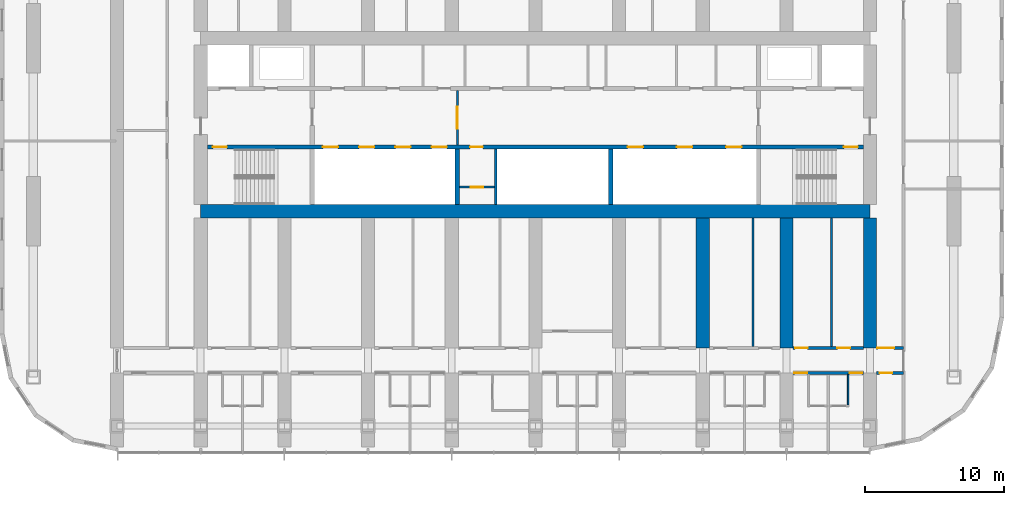
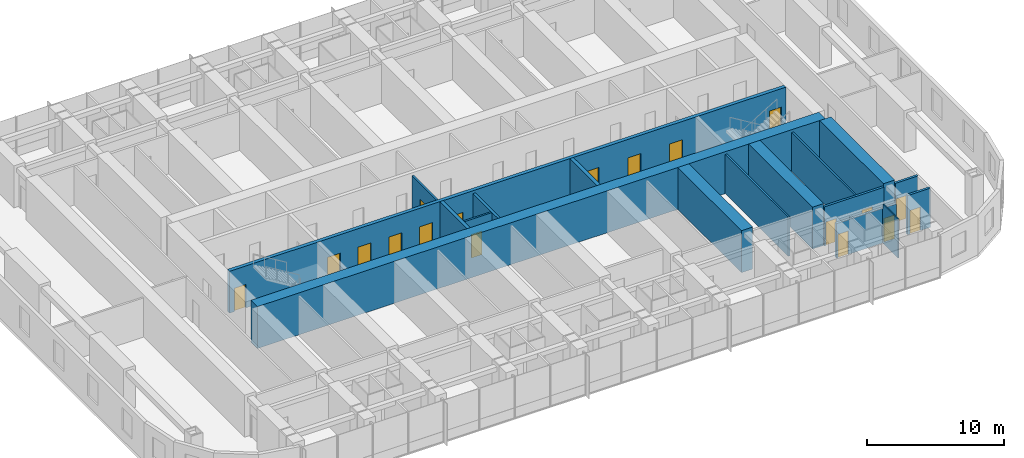
# One storey, part 11 of 21: 18 doors, 17 walls, 18 openings.
"""IFC4 building model written with IfcOpenShell, lengths in metres."""

import ifcopenshell
import ifcopenshell.guid

model = None  # the IFC model being written
_history = None  # IfcOwnerHistory: only IFC2X3 demands one
_inside = {}  # id of a spatial element -> (the spatial element, [elements in it])
_under = {}  # id of a project, library or spatial element -> (it, [spatial elements below it])
_declared = {}  # id of a project -> (the project, [libraries it declares])
_typed = {}  # id of a type object -> (the type object, [elements of that type])
_made_of = {}  # id of a material, layer set ... -> (it, [elements and type objects made of it])


def new_model(schema):
    """Start an empty IFC model of exactly this schema.

    Asked for "IFC4X3", IfcOpenShell would pick the latest addendum, in which some entities
    have other attributes; the version numbers below select the first issue.
    IFC2X3 requires an IfcOwnerHistory on every rooted entity: one is made here for all.
    """
    global model, _history
    if schema == "IFC4X3":
        model = ifcopenshell.file(schema_version=(4, 3, 0, 0))
    else:
        model = ifcopenshell.file(schema=schema)
    _inside.clear()
    _under.clear()
    _declared.clear()
    _typed.clear()
    _made_of.clear()
    _history = None
    if model.schema == "IFC2X3":
        org = make("IfcOrganization", Name="unknown")
        user = make(
            "IfcPersonAndOrganization",
            ThePerson=make("IfcPerson", FamilyName="unknown"),
            TheOrganization=org,
        )
        app = make(
            "IfcApplication",
            ApplicationDeveloper=org,
            Version="unknown",
            ApplicationFullName="unknown",
            ApplicationIdentifier="unknown",
        )
        _history = make(
            "IfcOwnerHistory",
            OwningUser=user,
            OwningApplication=app,
            ChangeAction="ADDED",
            CreationDate=0,
        )
    return model


def make(cls, **values):
    """One entity of the class cls with the attributes given. An attribute that is None is left unset."""
    return model.create_entity(
        cls, **{name: value for name, value in values.items() if value is not None}
    )


def rooted(cls, **values):
    """An entity with a GlobalId (a new one), such as an element, a storey or a relation."""
    return make(cls, GlobalId=ifcopenshell.guid.new(), OwnerHistory=_history, **values)


def si_unit(unit_type, name, prefix=None):
    """IfcSIUnit, for example si_unit("LENGTHUNIT", "METRE", prefix="MILLI")."""
    return make("IfcSIUnit", UnitType=unit_type, Prefix=prefix, Name=name)


def assignment(units):
    """IfcUnitAssignment: the units of a project."""
    return None if units is None else make("IfcUnitAssignment", Units=units)


def point(xyz):
    """IfcCartesianPoint."""
    return None if xyz is None else make("IfcCartesianPoint", Coordinates=xyz)


def direction(xyz):
    """IfcDirection."""
    return None if xyz is None else make("IfcDirection", DirectionRatios=xyz)


def frame(location, z_axis=None, x_axis=None):
    """IfcAxis2Placement3D, a coordinate frame: its origin and axes. An axis left out is left unset."""
    return make(
        "IfcAxis2Placement3D",
        Location=point(location),
        Axis=direction(z_axis),
        RefDirection=direction(x_axis),
    )


def frame_2d(location, x_axis=None):
    """IfcAxis2Placement2D, a coordinate frame in the plane: its origin and x axis."""
    return make(
        "IfcAxis2Placement2D", Location=point(location), RefDirection=direction(x_axis)
    )


def origin():
    """The frame at (0, 0, 0) with its axes left unset."""
    return frame((0.0, 0.0, 0.0))


def place(relative_to, where):
    """IfcLocalPlacement: puts the frame where relative to a parent placement (None: the world)."""
    return make(
        "IfcLocalPlacement", PlacementRelTo=relative_to, RelativePlacement=where
    )


def context(
    kind, dimensions, precision=None, world=None, true_north=None, identifier=None
):
    """IfcGeometricRepresentationContext, for example the 3D "Model" context."""
    return make(
        "IfcGeometricRepresentationContext",
        ContextIdentifier=identifier,
        ContextType=kind,
        CoordinateSpaceDimension=dimensions,
        Precision=precision,
        WorldCoordinateSystem=world,
        TrueNorth=true_north,
    )


def subcontext(parent, identifier, kind, view, scale=None):
    """IfcGeometricRepresentationSubContext, for example "Body" below "Model"."""
    return make(
        "IfcGeometricRepresentationSubContext",
        ContextIdentifier=identifier,
        ContextType=kind,
        ParentContext=parent,
        TargetScale=scale,
        TargetView=view,
    )


def project(units=None, contexts=None):
    """IfcProject with its units and contexts."""
    return rooted(
        "IfcProject",
        Name="project",
        RepresentationContexts=contexts,
        UnitsInContext=assignment(units),
    )


def spatial(cls, under=None, at=None, **own):
    """A site, building, storey or space (cls), placed at a placement, below another one or the project."""
    s = rooted(cls, ObjectPlacement=at, **own)
    if under is not None:
        _under.setdefault(under.id(), (under, []))[1].append(s)
    return s


def polyline(points):
    """IfcPolyline through the points."""
    return make("IfcPolyline", Points=[point(p) for p in points])


def profile(cls, at=None, kind="AREA", **sizes):
    """A parametric profile (cls). Its sizes go by their IFC names, for example OverallWidth=200.0."""
    return make(cls, ProfileType=kind, Position=at, **sizes)


def rectangle(**sizes):
    """IfcRectangleProfileDef."""
    return profile("IfcRectangleProfileDef", **sizes)


def outline(outer, holes=None, kind="AREA"):
    """IfcArbitraryClosedProfileDef: a profile drawn as a closed curve; with holes, ...WithVoids."""
    if holes is None:
        return make("IfcArbitraryClosedProfileDef", ProfileType=kind, OuterCurve=outer)
    return make(
        "IfcArbitraryProfileDefWithVoids",
        ProfileType=kind,
        OuterCurve=outer,
        InnerCurves=holes,
    )


def extrude(swept, where, along, depth):
    """IfcExtrudedAreaSolid: the profile swept, set in the frame where, extruded along a direction by depth."""
    return make(
        "IfcExtrudedAreaSolid",
        SweptArea=swept,
        Position=where,
        ExtrudedDirection=direction(along),
        Depth=depth,
    )


def shape(context_of_items, identifier, shape_type, items):
    """IfcShapeRepresentation: the items that make up one representation, for example the "Body"."""
    return make(
        "IfcShapeRepresentation",
        ContextOfItems=context_of_items,
        RepresentationIdentifier=identifier,
        RepresentationType=shape_type,
        Items=items,
    )


def material(Name=None, Category=None):
    """IfcMaterial."""
    return make("IfcMaterial", Name=Name, Category=Category)


def layer(
    of_material, thickness, ventilated=None, Name=None, Category=None, Priority=None
):
    """IfcMaterialLayer: one layer of a wall or slab, of a material (None: an air gap)."""
    return make(
        "IfcMaterialLayer",
        Material=of_material,
        LayerThickness=thickness,
        IsVentilated=ventilated,
        Name=Name,
        Category=Category,
        Priority=Priority,
    )


def layer_set(layers, Name=None):
    """IfcMaterialLayerSet."""
    return make("IfcMaterialLayerSet", MaterialLayers=layers, LayerSetName=Name)


def made_of(thing, what):
    """Note that an element or type object is made of a material, layer set ...; save() writes the relation."""
    if what is not None:
        _made_of.setdefault(what.id(), (what, []))[1].append(thing)
    return thing


def type_object(cls, material=None, **own):
    """A type object (cls), such as IfcWallType, which elements share."""
    return made_of(rooted(cls, **own), material)


def element(
    cls,
    number,
    at=None,
    inside=None,
    cuts=None,
    type_object=None,
    material=None,
    context=None,
    identifier="Body",
    shape_type=None,
    held_by="IfcProductDefinitionShape",
    body=None,
    shapes=None,
    **own,
):
    """One element of the class cls, such as IfcWall. Its Tag is "e" and its number.

    at: its placement. inside: the storey or other place that contains it. cuts: it is an
    opening in that element (IfcRelVoidsElement). A single representation is given by context,
    identifier, shape_type and body (its items); several are given by shapes. held_by: the class
    of the entity that holds the representations. save() writes the other relations.
    """
    e = rooted(cls, Tag="e%d" % number, ObjectPlacement=at, **own)
    if body is not None:
        shapes = [shape(context, identifier, shape_type, body)]
    if shapes is not None:
        e.Representation = make(held_by, Representations=shapes)
    if inside is not None:
        _inside.setdefault(inside.id(), (inside, []))[1].append(e)
    if cuts is not None:
        rooted(
            "IfcRelVoidsElement", RelatingBuildingElement=cuts, RelatedOpeningElement=e
        )
    if type_object is not None:
        _typed.setdefault(type_object.id(), (type_object, []))[1].append(e)
    return made_of(e, material)


def fill(opening, filler):
    """IfcRelFillsElement: the door or window that sits in an opening."""
    return rooted(
        "IfcRelFillsElement",
        RelatingOpeningElement=opening,
        RelatedBuildingElement=filler,
    )


def aggregate(whole, parts):
    """IfcRelAggregates: a whole, such as a stair, and the parts it consists of."""
    return rooted("IfcRelAggregates", RelatingObject=whole, RelatedObjects=parts)


def save(model, path):
    """Write the relations noted so far, then the file.

    IfcRelAggregates (storeys below a building ...), IfcRelContainedInSpatialStructure (elements
    in a storey), IfcRelDefinesByType, IfcRelAssociatesMaterial and IfcRelDeclares: one each for
    every whole, place, type object, material and project.
    """
    for whole, parts in _under.values():
        aggregate(whole, parts)
    for where, things in _inside.values():
        rooted(
            "IfcRelContainedInSpatialStructure",
            RelatedElements=things,
            RelatingStructure=where,
        )
    for kind, things in _typed.values():
        rooted("IfcRelDefinesByType", RelatedObjects=things, RelatingType=kind)
    for what, things in _made_of.values():
        rooted("IfcRelAssociatesMaterial", RelatedObjects=things, RelatingMaterial=what)
    for by, libraries in _declared.values():
        rooted("IfcRelDeclares", RelatingContext=by, RelatedDefinitions=libraries)
    model.write(path)


model = new_model("IFC4")

# Units and contexts
model_context = context("Model", 3, precision=1e-05, world=origin(), true_north=direction((0.0, 1.0)))
body_context = subcontext(model_context, "Body", "Model", "MODEL_VIEW")
ifc_project = project(units=[si_unit("LENGTHUNIT", "METRE"), si_unit("AREAUNIT", "SQUARE_METRE"), si_unit("VOLUMEUNIT", "CUBIC_METRE"), si_unit("PLANEANGLEUNIT", "RADIAN"), si_unit("MASSUNIT", "GRAM", prefix="KILO")], contexts=[model_context])

# Site, building, storey
site_placement = place(None, origin())
site = spatial("IfcSite", under=ifc_project, at=site_placement, CompositionType="ELEMENT")
building_placement = place(site_placement, origin())
building = spatial("IfcBuilding", under=site, at=building_placement, Name="Orbita Commons", CompositionType="ELEMENT")
storey_placement = place(building_placement, frame((0.0, 0.0, 91.89990234375)))
storey = spatial("IfcBuildingStorey", under=building, at=storey_placement, Name="L22", CompositionType="ELEMENT", Elevation=91.89990234375)

# Wall, openings, doors
ifc_material_1 = material(Name="Concrete C50/60", Category="concrete")
ifc_layer_1 = layer(ifc_material_1, 0.300048828125)
ifc_layer_set_1 = layer_set([ifc_layer_1], Name="Concrete C50/60")
wall_type_1 = type_object("IfcWallType", Name="Core inner wall 300 C50/60", PredefinedType="SHEAR", material=ifc_layer_set_1)
wall_1_placement = place(storey_placement, frame((18.47509765625, 30.39990234375, 0.0), z_axis=(0.0, 0.0, 1.0), x_axis=(1.0, 0.0, 0.0)))
wall_1 = element("IfcWall", 1, at=wall_1_placement, inside=storey, type_object=wall_type_1, Name="Lobby wall south L22", PredefinedType="SHEAR", context=body_context, shape_type="SweptSolid", body=[
    extrude(rectangle(XDim=47.0498046875, YDim=0.300048828125, at=frame_2d((23.52490234375, 0.0))), origin(), (0.0, 0.0, 1.0), 3.75),
])
opening_1_placement = place(wall_1_placement, frame((0.39990234375, 0.0, 0.0)))
opening_1 = element("IfcOpeningElement", 2, at=opening_1_placement, cuts=wall_1, Name="Opening D02", PredefinedType="OPENING", context=body_context, shape_type="SweptSolid", body=[
    extrude(rectangle(XDim=1.0, YDim=2.10009765625, at=frame_2d((0.5, 1.050048828125))), frame((0.0, 0.159912109375, 0.0), z_axis=(0.0, -1.0, 0.0), x_axis=(1.0, 0.0, 0.0)), (0.0, 0.0, 1.0), 0.320068359375),
])
opening_2_placement = place(wall_1_placement, frame((45.64990234375, 0.0, 0.0)))
opening_2 = element("IfcOpeningElement", 3, at=opening_2_placement, cuts=wall_1, Name="Opening D02", PredefinedType="OPENING", context=body_context, shape_type="SweptSolid", body=[
    extrude(rectangle(XDim=1.0, YDim=2.10009765625, at=frame_2d((0.5, 1.050048828125))), frame((0.0, 0.159912109375, 0.0), z_axis=(0.0, -1.0, 0.0), x_axis=(1.0, 0.0, 0.0)), (0.0, 0.0, 1.0), 0.320068359375),
])
opening_3_placement = place(wall_1_placement, frame((8.27490234375, 0.0, 0.0)))
opening_3 = element("IfcOpeningElement", 4, at=opening_3_placement, cuts=wall_1, Name="Opening LD02", PredefinedType="OPENING", context=body_context, shape_type="SweptSolid", body=[
    extrude(rectangle(XDim=1.10009765625, YDim=2.10009765625, at=frame_2d((0.550048828125, 1.050048828125))), frame((0.0, 0.159912109375, 0.0), z_axis=(0.0, -1.0, 0.0), x_axis=(1.0, 0.0, 0.0)), (0.0, 0.0, 1.0), 0.320068359375),
])
opening_4_placement = place(wall_1_placement, frame((10.875, 0.0, 0.0)))
opening_4 = element("IfcOpeningElement", 5, at=opening_4_placement, cuts=wall_1, Name="Opening LD02", PredefinedType="OPENING", context=body_context, shape_type="SweptSolid", body=[
    extrude(rectangle(XDim=1.10009765625, YDim=2.10009765625, at=frame_2d((0.550048828125, 1.050048828125))), frame((0.0, 0.159912109375, 0.0), z_axis=(0.0, -1.0, 0.0), x_axis=(1.0, 0.0, 0.0)), (0.0, 0.0, 1.0), 0.320068359375),
])
opening_5_placement = place(wall_1_placement, frame((13.47509765625, 0.0, 0.0)))
opening_5 = element("IfcOpeningElement", 6, at=opening_5_placement, cuts=wall_1, Name="Opening LD02", PredefinedType="OPENING", context=body_context, shape_type="SweptSolid", body=[
    extrude(rectangle(XDim=1.10009765625, YDim=2.10009765625, at=frame_2d((0.550048828125, 1.050048828125))), frame((0.0, 0.159912109375, 0.0), z_axis=(0.0, -1.0, 0.0), x_axis=(1.0, 0.0, 0.0)), (0.0, 0.0, 1.0), 0.320068359375),
])
opening_6_placement = place(wall_1_placement, frame((16.074951171875, 0.0, 0.0)))
opening_6 = element("IfcOpeningElement", 7, at=opening_6_placement, cuts=wall_1, Name="Opening LD02", PredefinedType="OPENING", context=body_context, shape_type="SweptSolid", body=[
    extrude(rectangle(XDim=1.10009765625, YDim=2.10009765625, at=frame_2d((0.550048828125, 1.050048828125))), frame((0.0, 0.159912109375, 0.0), z_axis=(0.0, -1.0, 0.0), x_axis=(1.0, 0.0, 0.0)), (0.0, 0.0, 1.0), 0.320068359375),
])
opening_7_placement = place(wall_1_placement, frame((18.85009765625, 0.0, 0.0)))
opening_7 = element("IfcOpeningElement", 8, at=opening_7_placement, cuts=wall_1, Name="Opening D05", PredefinedType="OPENING", context=body_context, shape_type="SweptSolid", body=[
    extrude(rectangle(XDim=0.89990234375, YDim=2.10009765625, at=frame_2d((0.449951171875, 1.050048828125))), frame((0.0, 0.159912109375, 0.0), z_axis=(0.0, -1.0, 0.0), x_axis=(1.0, 0.0, 0.0)), (0.0, 0.0, 1.0), 0.320068359375),
])
opening_8_placement = place(wall_1_placement, frame((30.1416015625, 0.0, 0.0)))
opening_8 = element("IfcOpeningElement", 9, at=opening_8_placement, cuts=wall_1, Name="Opening LD02", PredefinedType="OPENING", context=body_context, shape_type="SweptSolid", body=[
    extrude(rectangle(XDim=1.10009765625, YDim=2.10009765625, at=frame_2d((0.550048828125, 1.050048828125))), frame((0.0, 0.159912109375, 0.0), z_axis=(0.0, -1.0, 0.0), x_axis=(1.0, 0.0, 0.0)), (0.0, 0.0, 1.0), 0.320068359375),
])
opening_9_placement = place(wall_1_placement, frame((33.675048828125, 0.0, 0.0)))
opening_9 = element("IfcOpeningElement", 10, at=opening_9_placement, cuts=wall_1, Name="Opening LD02", PredefinedType="OPENING", context=body_context, shape_type="SweptSolid", body=[
    extrude(rectangle(XDim=1.10009765625, YDim=2.10009765625, at=frame_2d((0.550048828125, 1.050048828125))), frame((0.0, 0.159912109375, 0.0), z_axis=(0.0, -1.0, 0.0), x_axis=(1.0, 0.0, 0.0)), (0.0, 0.0, 1.0), 0.320068359375),
])
opening_10_placement = place(wall_1_placement, frame((37.208251953125, 0.0, 0.0)))
opening_10 = element("IfcOpeningElement", 11, at=opening_10_placement, cuts=wall_1, Name="Opening LD02", PredefinedType="OPENING", context=body_context, shape_type="SweptSolid", body=[
    extrude(rectangle(XDim=1.10009765625, YDim=2.10009765625, at=frame_2d((0.550048828125, 1.050048828125))), frame((0.0, 0.159912109375, 0.0), z_axis=(0.0, -1.0, 0.0), x_axis=(1.0, 0.0, 0.0)), (0.0, 0.0, 1.0), 0.320068359375),
])
ifc_material_2 = material(Name="Steel-faced fire door leaf", Category="steel")
door_type_1 = type_object("IfcDoorType", Name="Fire door 90 min 1000x2100", OperationType="SINGLE_SWING_LEFT", PredefinedType="DOOR", material=ifc_material_2)
door_1_placement = place(opening_1_placement, origin())
door_1 = element("IfcDoor", 12, at=door_1_placement, inside=storey, type_object=door_type_1, Name="Stair S1 door", OperationType="SINGLE_SWING_LEFT", OverallHeight=2.10009765625, OverallWidth=1.0, PredefinedType="DOOR", context=body_context, shape_type="SweptSolid", body=[
    extrude(rectangle(XDim=1.0, YDim=2.10009765625, at=frame_2d((0.5, 1.050048828125))), frame((0.0, 0.02490234375, 0.0), z_axis=(0.0, -1.0, 0.0), x_axis=(1.0, 0.0, 0.0)), (0.0, 0.0, 1.0), 0.050048828125),
])
fill(opening_1, door_1)
door_2_placement = place(opening_2_placement, origin())
door_2 = element("IfcDoor", 13, at=door_2_placement, inside=storey, type_object=door_type_1, Name="Stair S2 door", OperationType="SINGLE_SWING_LEFT", OverallHeight=2.10009765625, OverallWidth=1.0, PredefinedType="DOOR", context=body_context, shape_type="SweptSolid", body=[
    extrude(rectangle(XDim=1.0, YDim=2.10009765625, at=frame_2d((0.5, 1.050048828125))), frame((0.0, 0.02490234375, 0.0), z_axis=(0.0, -1.0, 0.0), x_axis=(1.0, 0.0, 0.0)), (0.0, 0.0, 1.0), 0.050048828125),
])
fill(opening_2, door_2)
ifc_material_3 = material(Name="Steel-faced fire door leaf", Category="steel")
door_type_2 = type_object("IfcDoorType", Name="Lift landing door 1100x2100", OperationType="DOUBLE_DOOR_SLIDING", PredefinedType="DOOR", material=ifc_material_3)
door_3_placement = place(opening_3_placement, origin())
door_3 = element("IfcDoor", 14, at=door_3_placement, inside=storey, type_object=door_type_2, Name="Lift P21 landing door", OperationType="DOUBLE_DOOR_SLIDING", OverallHeight=2.10009765625, OverallWidth=1.10009765625, PredefinedType="DOOR", context=body_context, shape_type="SweptSolid", body=[
    extrude(rectangle(XDim=1.10009765625, YDim=2.10009765625, at=frame_2d((0.550048828125, 1.050048828125))), frame((0.0, 0.02490234375, 0.0), z_axis=(0.0, -1.0, 0.0), x_axis=(1.0, 0.0, 0.0)), (0.0, 0.0, 1.0), 0.050048828125),
])
fill(opening_3, door_3)
door_4_placement = place(opening_4_placement, origin())
door_4 = element("IfcDoor", 15, at=door_4_placement, inside=storey, type_object=door_type_2, Name="Lift P22 landing door", OperationType="DOUBLE_DOOR_SLIDING", OverallHeight=2.10009765625, OverallWidth=1.10009765625, PredefinedType="DOOR", context=body_context, shape_type="SweptSolid", body=[
    extrude(rectangle(XDim=1.10009765625, YDim=2.10009765625, at=frame_2d((0.550048828125, 1.050048828125))), frame((0.0, 0.02490234375, 0.0), z_axis=(0.0, -1.0, 0.0), x_axis=(1.0, 0.0, 0.0)), (0.0, 0.0, 1.0), 0.050048828125),
])
fill(opening_4, door_4)
door_5_placement = place(opening_5_placement, origin())
door_5 = element("IfcDoor", 16, at=door_5_placement, inside=storey, type_object=door_type_2, Name="Lift P23 landing door", OperationType="DOUBLE_DOOR_SLIDING", OverallHeight=2.10009765625, OverallWidth=1.10009765625, PredefinedType="DOOR", context=body_context, shape_type="SweptSolid", body=[
    extrude(rectangle(XDim=1.10009765625, YDim=2.10009765625, at=frame_2d((0.550048828125, 1.050048828125))), frame((0.0, 0.02490234375, 0.0), z_axis=(0.0, -1.0, 0.0), x_axis=(1.0, 0.0, 0.0)), (0.0, 0.0, 1.0), 0.050048828125),
])
fill(opening_5, door_5)
door_6_placement = place(opening_6_placement, origin())
door_6 = element("IfcDoor", 17, at=door_6_placement, inside=storey, type_object=door_type_2, Name="Lift P24 landing door", OperationType="DOUBLE_DOOR_SLIDING", OverallHeight=2.10009765625, OverallWidth=1.10009765625, PredefinedType="DOOR", context=body_context, shape_type="SweptSolid", body=[
    extrude(rectangle(XDim=1.10009765625, YDim=2.10009765625, at=frame_2d((0.550048828125, 1.050048828125))), frame((0.0, 0.02490234375, 0.0), z_axis=(0.0, -1.0, 0.0), x_axis=(1.0, 0.0, 0.0)), (0.0, 0.0, 1.0), 0.050048828125),
])
fill(opening_6, door_6)
door_7_placement = place(opening_8_placement, origin())
door_7 = element("IfcDoor", 18, at=door_7_placement, inside=storey, type_object=door_type_2, Name="Lift SV1 landing door", OperationType="DOUBLE_DOOR_SLIDING", OverallHeight=2.10009765625, OverallWidth=1.10009765625, PredefinedType="DOOR", context=body_context, shape_type="SweptSolid", body=[
    extrude(rectangle(XDim=1.10009765625, YDim=2.10009765625, at=frame_2d((0.550048828125, 1.050048828125))), frame((0.0, 0.02490234375, 0.0), z_axis=(0.0, -1.0, 0.0), x_axis=(1.0, 0.0, 0.0)), (0.0, 0.0, 1.0), 0.050048828125),
])
fill(opening_8, door_7)
door_8_placement = place(opening_9_placement, origin())
door_8 = element("IfcDoor", 19, at=door_8_placement, inside=storey, type_object=door_type_2, Name="Lift SV2 landing door", OperationType="DOUBLE_DOOR_SLIDING", OverallHeight=2.10009765625, OverallWidth=1.10009765625, PredefinedType="DOOR", context=body_context, shape_type="SweptSolid", body=[
    extrude(rectangle(XDim=1.10009765625, YDim=2.10009765625, at=frame_2d((0.550048828125, 1.050048828125))), frame((0.0, 0.02490234375, 0.0), z_axis=(0.0, -1.0, 0.0), x_axis=(1.0, 0.0, 0.0)), (0.0, 0.0, 1.0), 0.050048828125),
])
fill(opening_9, door_8)
door_9_placement = place(opening_10_placement, origin())
door_9 = element("IfcDoor", 20, at=door_9_placement, inside=storey, type_object=door_type_2, Name="Lift SV3 landing door", OperationType="DOUBLE_DOOR_SLIDING", OverallHeight=2.10009765625, OverallWidth=1.10009765625, PredefinedType="DOOR", context=body_context, shape_type="SweptSolid", body=[
    extrude(rectangle(XDim=1.10009765625, YDim=2.10009765625, at=frame_2d((0.550048828125, 1.050048828125))), frame((0.0, 0.02490234375, 0.0), z_axis=(0.0, -1.0, 0.0), x_axis=(1.0, 0.0, 0.0)), (0.0, 0.0, 1.0), 0.050048828125),
])
fill(opening_10, door_9)
ifc_material_4 = material(Name="Steel-faced fire door leaf", Category="steel")
door_type_3 = type_object("IfcDoorType", Name="Service door 20 min 900x2100", OperationType="SINGLE_SWING_LEFT", PredefinedType="DOOR", material=ifc_material_4)
door_10_placement = place(opening_7_placement, origin())
door_10 = element("IfcDoor", 21, at=door_10_placement, inside=storey, type_object=door_type_3, Name="Staff WC door", OperationType="SINGLE_SWING_LEFT", OverallHeight=2.10009765625, OverallWidth=0.89990234375, PredefinedType="DOOR", context=body_context, shape_type="SweptSolid", body=[
    extrude(rectangle(XDim=0.89990234375, YDim=2.10009765625, at=frame_2d((0.449951171875, 1.050048828125))), frame((0.0, 0.02490234375, 0.0), z_axis=(0.0, -1.0, 0.0), x_axis=(1.0, 0.0, 0.0)), (0.0, 0.0, 1.0), 0.050048828125),
])
fill(opening_7, door_10)

# Walls
for number, where, z_axis, x_axis, name in (
    (22, (36.39990234375, 26.27490234375, 0.0), (0.0, 0.0, 1.0), (0.0, 1.0, 0.0), "Hoistway division wall L22"),
    (23, (47.39990234375, 26.27490234375, 0.0), (0.0, 0.0, 1.0), (0.0, 1.0, 0.0), "Hoistway division wall L22"),
):
    element("IfcWall", number, at=place(storey_placement, frame(where, z_axis=z_axis, x_axis=x_axis)), inside=storey, type_object=wall_type_1, Name=name, PredefinedType="SHEAR", context=body_context, shape_type="SweptSolid", body=[
        extrude(rectangle(XDim=3.97509765625, YDim=0.300048828125, at=frame_2d((1.987548828125, 0.0))), origin(), (0.0, 0.0, 1.0), 3.75),
    ])

# Wall, opening, door
ifc_material_5 = material(Name="Concrete blockwork", Category="masonry")
ifc_layer_2 = layer(ifc_material_5, 0.14990234375)
ifc_layer_set_2 = layer_set([ifc_layer_2], Name="Concrete blockwork")
wall_type_2 = type_object("IfcWallType", Name="Core partition 150 blockwork", PredefinedType="SOLIDWALL", material=ifc_layer_set_2)
wall_2_placement = place(storey_placement, frame((36.39990234375, 30.550048828125, 0.0), z_axis=(0.0, 0.0, 1.0), x_axis=(0.0, 1.0, 0.0)))
wall_2 = element("IfcWall", 24, at=wall_2_placement, inside=storey, type_object=wall_type_2, Name="Core partition 150 blockwork L22", PredefinedType="SOLIDWALL", context=body_context, shape_type="SweptSolid", body=[
    extrude(rectangle(XDim=3.89990234375, YDim=0.14990234375, at=frame_2d((1.949951171875, 0.0))), origin(), (0.0, 0.0, 1.0), 3.5),
])
opening_11_placement = place(wall_2_placement, frame((1.14990234375, 0.0, 0.0)))
opening_11 = element("IfcOpeningElement", 25, at=opening_11_placement, cuts=wall_2, Name="Opening D10", PredefinedType="OPENING", context=body_context, shape_type="SweptSolid", body=[
    extrude(rectangle(XDim=1.60009765625, YDim=2.10009765625, at=frame_2d((0.800048828125, 1.050048828125))), frame((0.0, 0.0849609375, 0.0), z_axis=(0.0, -1.0, 0.0), x_axis=(1.0, 0.0, 0.0)), (0.0, 0.0, 1.0), 0.169921875),
])
ifc_material_6 = material(Name="Steel-faced fire door leaf", Category="steel")
door_type_4 = type_object("IfcDoorType", Name="Double corridor door 20 min 1600x2100", OperationType="DOUBLE_DOOR_SINGLE_SWING", PredefinedType="DOOR", material=ifc_material_6)
door_11_placement = place(opening_11_placement, origin())
door_11 = element("IfcDoor", 26, at=door_11_placement, inside=storey, type_object=door_type_4, Name="Lift lobby screen doors", OperationType="DOUBLE_DOOR_SINGLE_SWING", OverallHeight=2.10009765625, OverallWidth=1.60009765625, PredefinedType="DOOR", context=body_context, shape_type="SweptSolid", body=[
    extrude(rectangle(XDim=1.60009765625, YDim=2.10009765625, at=frame_2d((0.800048828125, 1.050048828125))), frame((0.0, 0.02490234375, 0.0), z_axis=(0.0, -1.0, 0.0), x_axis=(1.0, 0.0, 0.0)), (0.0, 0.0, 1.0), 0.050048828125),
])
fill(opening_11, door_11)

wall_3_placement = place(storey_placement, frame((36.550048828125, 27.52490234375, 0.0), z_axis=(0.0, 0.0, 1.0), x_axis=(1.0, 0.0, 0.0)))
wall_3 = element("IfcWall", 27, at=wall_3_placement, inside=storey, type_object=wall_type_2, Name="Core partition 150 blockwork L22", PredefinedType="SOLIDWALL", context=body_context, shape_type="SweptSolid", body=[
    extrude(rectangle(XDim=2.5, YDim=0.14990234375, at=frame_2d((1.25, 0.0))), origin(), (0.0, 0.0, 1.0), 3.5),
])
opening_12_placement = place(wall_3_placement, frame((0.800048828125, 0.0, 0.0)))
opening_12 = element("IfcOpeningElement", 28, at=opening_12_placement, cuts=wall_3, Name="Opening D05", PredefinedType="OPENING", context=body_context, shape_type="SweptSolid", body=[
    extrude(rectangle(XDim=0.89990234375, YDim=2.10009765625, at=frame_2d((0.449951171875, 1.050048828125))), frame((0.0, 0.0849609375, 0.0), z_axis=(0.0, -1.0, 0.0), x_axis=(1.0, 0.0, 0.0)), (0.0, 0.0, 1.0), 0.169921875),
])
door_12_placement = place(opening_12_placement, origin())
door_12 = element("IfcDoor", 29, at=door_12_placement, inside=storey, type_object=door_type_3, Name="Cupboard door off Staff WC", OperationType="SINGLE_SWING_LEFT", OverallHeight=2.10009765625, OverallWidth=0.89990234375, PredefinedType="DOOR", context=body_context, shape_type="SweptSolid", body=[
    extrude(rectangle(XDim=0.89990234375, YDim=2.10009765625, at=frame_2d((0.449951171875, 1.050048828125))), frame((0.0, 0.02490234375, 0.0), z_axis=(0.0, -1.0, 0.0), x_axis=(1.0, 0.0, 0.0)), (0.0, 0.0, 1.0), 0.050048828125),
])
fill(opening_12, door_12)

# Wall
ifc_material_7 = material(Name="Concrete C50/60", Category="concrete")
ifc_layer_3 = layer(ifc_material_7, 0.949951171875)
ifc_layer_set_3 = layer_set([ifc_layer_3], Name="Concrete C50/60")
wall_type_3 = type_object("IfcWallType", Name="Core wall 950 C50/60", PredefinedType="SHEAR", material=ifc_layer_set_3)
wall_4_placement = place(storey_placement, frame((18.0, 25.800048828125, 0.0), z_axis=(0.0, 0.0, 1.0), x_axis=(1.0, 0.0, 0.0)))
element("IfcWall", 30, at=wall_4_placement, inside=storey, type_object=wall_type_3, Name="Core spine wall south L22", PredefinedType="SHEAR", context=body_context, shape_type="SweptSolid", body=[
    extrude(rectangle(XDim=48.0, YDim=0.949951171875, at=frame_2d((24.0, 0.0))), origin(), (0.0, 0.0, 1.0), 3.75),
])

# Wall, openings, doors
ifc_material_8 = material(Name="Concrete blockwork", Category="masonry")
ifc_layer_4 = layer(ifc_material_8, 0.199951171875)
ifc_layer_set_4 = layer_set([ifc_layer_4], Name="Concrete blockwork")
wall_type_4 = type_object("IfcWallType", Name="Corridor wall 200 blockwork", PredefinedType="SOLIDWALL", material=ifc_layer_set_4)
wall_5_placement = place(storey_placement, frame((60.47509765625, 14.199951171875, 0.0), z_axis=(0.0, 0.0, 1.0), x_axis=(1.0, 0.0, 0.0)))
wall_5 = element("IfcWall", 31, at=wall_5_placement, inside=storey, type_object=wall_type_4, Name="Corridor wall 200 blockwork L22", PredefinedType="SOLIDWALL", context=body_context, shape_type="SweptSolid", body=[
    extrude(outline(polyline([(0.0, 0.0), (5.0498046875, 0.0), (5.050048828125, 3.10009765625), (0.0, 3.10009765625), (0.0, 0.0)])), frame((0.0, 0.10009765625, 0.0), z_axis=(0.0, -1.0, 0.0), x_axis=(1.0, 0.0, 0.0)), (0.0, 0.0, 1.0), 0.199951171875),
])
opening_13_placement = place(wall_5_placement, frame((0.10009765625, 0.0, 0.0)))
opening_13 = element("IfcOpeningElement", 32, at=opening_13_placement, cuts=wall_5, Name="Opening D11", PredefinedType="OPENING", context=body_context, shape_type="SweptSolid", body=[
    extrude(rectangle(XDim=0.89990234375, YDim=2.10009765625, at=frame_2d((0.449951171875, 1.050048828125))), frame((0.0, 0.10986328125, 0.0), z_axis=(0.0, -1.0, 0.0), x_axis=(1.0, 0.0, 0.0)), (0.0, 0.0, 1.0), 0.219970703125),
])
opening_14_placement = place(wall_5_placement, frame((4.050048828125, 0.0, 0.0)))
opening_14 = element("IfcOpeningElement", 33, at=opening_14_placement, cuts=wall_5, Name="Opening D11", PredefinedType="OPENING", context=body_context, shape_type="SweptSolid", body=[
    extrude(rectangle(XDim=0.89990234375, YDim=2.10009765625, at=frame_2d((0.449951171875, 1.050048828125))), frame((0.0, 0.10986328125, 0.0), z_axis=(0.0, -1.0, 0.0), x_axis=(1.0, 0.0, 0.0)), (0.0, 0.0, 1.0), 0.219970703125),
])
ifc_material_9 = material(Name="Steel-faced fire door leaf", Category="steel")
door_type_5 = type_object("IfcDoorType", Name="Corridor door 20 min 900x2100", OperationType="SINGLE_SWING_LEFT", PredefinedType="DOOR", material=ifc_material_9)
door_13_placement = place(opening_13_placement, origin())
door_13 = element("IfcDoor", 34, at=door_13_placement, inside=storey, type_object=door_type_5, Name="Cluster bedroom L22-S16 door", OperationType="SINGLE_SWING_LEFT", OverallHeight=2.10009765625, OverallWidth=0.89990234375, PredefinedType="DOOR", context=body_context, shape_type="SweptSolid", body=[
    extrude(rectangle(XDim=0.89990234375, YDim=2.10009765625, at=frame_2d((0.449951171875, 1.050048828125))), frame((0.0, 0.02490234375, 0.0), z_axis=(0.0, -1.0, 0.0), x_axis=(1.0, 0.0, 0.0)), (0.0, 0.0, 1.0), 0.050048828125),
])
fill(opening_13, door_13)
door_14_placement = place(opening_14_placement, origin())
door_14 = element("IfcDoor", 35, at=door_14_placement, inside=storey, type_object=door_type_5, Name="Cluster bedroom L22-S17 door", OperationType="SINGLE_SWING_LEFT", OverallHeight=2.10009765625, OverallWidth=0.89990234375, PredefinedType="DOOR", context=body_context, shape_type="SweptSolid", body=[
    extrude(rectangle(XDim=0.89990234375, YDim=2.10009765625, at=frame_2d((0.449951171875, 1.050048828125))), frame((0.0, 0.02490234375, 0.0), z_axis=(0.0, -1.0, 0.0), x_axis=(1.0, 0.0, 0.0)), (0.0, 0.0, 1.0), 0.050048828125),
])
fill(opening_14, door_14)

# Wall, opening, door
wall_6_placement = place(storey_placement, frame((66.47509765625, 14.199951171875, 0.0), z_axis=(0.0, 0.0, 1.0), x_axis=(1.0, 0.0, 0.0)))
wall_6 = element("IfcWall", 36, at=wall_6_placement, inside=storey, type_object=wall_type_4, Name="Corridor wall 200 blockwork L22", PredefinedType="SOLIDWALL", context=body_context, shape_type="SweptSolid", body=[
    extrude(rectangle(XDim=1.9248046875, YDim=0.199951171875, at=frame_2d((0.96240234375, 0.0))), origin(), (0.0, 0.0, 1.0), 3.5),
])
opening_15_placement = place(wall_6_placement, frame((0.199951171875, 0.0, 0.0)))
opening_15 = element("IfcOpeningElement", 37, at=opening_15_placement, cuts=wall_6, Name="Opening D05", PredefinedType="OPENING", context=body_context, shape_type="SweptSolid", body=[
    extrude(rectangle(XDim=0.89990234375, YDim=2.10009765625, at=frame_2d((0.449951171875, 1.050048828125))), frame((0.0, 0.10986328125, 0.0), z_axis=(0.0, -1.0, 0.0), x_axis=(1.0, 0.0, 0.0)), (0.0, 0.0, 1.0), 0.219970703125),
])
door_15_placement = place(opening_15_placement, origin())
door_15 = element("IfcDoor", 38, at=door_15_placement, inside=storey, type_object=door_type_3, Name="Linen store L22-KES door", OperationType="SINGLE_SWING_LEFT", OverallHeight=2.10009765625, OverallWidth=0.89990234375, PredefinedType="DOOR", context=body_context, shape_type="SweptSolid", body=[
    extrude(rectangle(XDim=0.89990234375, YDim=2.10009765625, at=frame_2d((0.449951171875, 1.050048828125))), frame((0.0, 0.02490234375, 0.0), z_axis=(0.0, -1.0, 0.0), x_axis=(1.0, 0.0, 0.0)), (0.0, 0.0, 1.0), 0.050048828125),
])
fill(opening_15, door_15)

# Wall, openings, doors
ifc_material_10 = material(Name="Hollow concrete block 200", Category="concrete")
ifc_layer_5 = layer(ifc_material_10, 0.199951171875)
ifc_layer_set_5 = layer_set([ifc_layer_5], Name="Hollow concrete block 200")
wall_type_5 = type_object("IfcWallType", Name="Corridor wall 200 hollow concrete block", PredefinedType="SOLIDWALL", material=ifc_layer_set_5)
wall_7_placement = place(storey_placement, frame((60.47509765625, 16.0, 0.0), z_axis=(0.0, 0.0, 1.0), x_axis=(1.0, 0.0, 0.0)))
wall_7 = element("IfcWall", 39, at=wall_7_placement, inside=storey, type_object=wall_type_5, Name="Corridor wall 200 hollow concrete block L22", PredefinedType="SOLIDWALL", context=body_context, shape_type="SweptSolid", body=[
    extrude(rectangle(XDim=5.0498046875, YDim=0.199951171875, at=frame_2d((2.52490234375, 0.0))), origin(), (0.0, 0.0, 1.0), 3.5),
])
opening_16_placement = place(wall_7_placement, frame((0.14990234375, 0.0, 0.0)))
opening_16 = element("IfcOpeningElement", 40, at=opening_16_placement, cuts=wall_7, Name="Opening D11", PredefinedType="OPENING", context=body_context, shape_type="SweptSolid", body=[
    extrude(rectangle(XDim=0.89990234375, YDim=2.10009765625, at=frame_2d((0.449951171875, 1.050048828125))), frame((0.0, 0.10986328125, 0.0), z_axis=(0.0, -1.0, 0.0), x_axis=(1.0, 0.0, 0.0)), (0.0, 0.0, 1.0), 0.219970703125),
])
opening_17_placement = place(wall_7_placement, frame((3.18505859375, 0.0, 0.0)))
opening_17 = element("IfcOpeningElement", 41, at=opening_17_placement, cuts=wall_7, Name="Opening D11", PredefinedType="OPENING", context=body_context, shape_type="SweptSolid", body=[
    extrude(rectangle(XDim=0.89990234375, YDim=2.10009765625, at=frame_2d((0.449951171875, 1.050048828125))), frame((0.0, 0.10986328125, 0.0), z_axis=(0.0, -1.0, 0.0), x_axis=(1.0, 0.0, 0.0)), (0.0, 0.0, 1.0), 0.219970703125),
])
door_16_placement = place(opening_16_placement, origin())
door_16 = element("IfcDoor", 42, at=door_16_placement, inside=storey, type_object=door_type_5, Name="Parcel and post room L22-BDS60 door", OperationType="SINGLE_SWING_LEFT", OverallHeight=2.10009765625, OverallWidth=0.89990234375, PredefinedType="DOOR", context=body_context, shape_type="SweptSolid", body=[
    extrude(rectangle(XDim=0.89990234375, YDim=2.10009765625, at=frame_2d((0.449951171875, 1.050048828125))), frame((0.0, 0.02490234375, 0.0), z_axis=(0.0, -1.0, 0.0), x_axis=(1.0, 0.0, 0.0)), (0.0, 0.0, 1.0), 0.050048828125),
])
fill(opening_16, door_16)
door_17_placement = place(opening_17_placement, origin())
door_17 = element("IfcDoor", 43, at=door_17_placement, inside=storey, type_object=door_type_5, Name="Sprinkler valve room L22-BDS60n door", OperationType="SINGLE_SWING_LEFT", OverallHeight=2.10009765625, OverallWidth=0.89990234375, PredefinedType="DOOR", context=body_context, shape_type="SweptSolid", body=[
    extrude(rectangle(XDim=0.89990234375, YDim=2.10009765625, at=frame_2d((0.449951171875, 1.050048828125))), frame((0.0, 0.02490234375, 0.0), z_axis=(0.0, -1.0, 0.0), x_axis=(1.0, 0.0, 0.0)), (0.0, 0.0, 1.0), 0.050048828125),
])
fill(opening_17, door_17)

# Wall, opening, door
wall_8_placement = place(storey_placement, frame((66.47509765625, 16.0, 0.0), z_axis=(0.0, 0.0, 1.0), x_axis=(1.0, 0.0, 0.0)))
wall_8 = element("IfcWall", 44, at=wall_8_placement, inside=storey, type_object=wall_type_5, Name="Corridor wall 200 hollow concrete block L22", PredefinedType="SOLIDWALL", context=body_context, shape_type="SweptSolid", body=[
    extrude(rectangle(XDim=1.9248046875, YDim=0.199951171875, at=frame_2d((0.96240234375, 0.0))), origin(), (0.0, 0.0, 1.0), 3.5),
])
opening_18_placement = place(wall_8_placement, frame((0.050048828125, 0.0, 0.0)))
opening_18 = element("IfcOpeningElement", 45, at=opening_18_placement, cuts=wall_8, Name="Opening D12", PredefinedType="OPENING", context=body_context, shape_type="SweptSolid", body=[
    extrude(rectangle(XDim=1.199951171875, YDim=2.10009765625, at=frame_2d((0.60009765625, 1.050048828125))), frame((0.0, 0.10986328125, 0.0), z_axis=(0.0, -1.0, 0.0), x_axis=(1.0, 0.0, 0.0)), (0.0, 0.0, 1.0), 0.219970703125),
])
ifc_material_11 = material(Name="Steel-faced fire door leaf", Category="steel")
door_type_6 = type_object("IfcDoorType", Name="Double corridor door 20 min 1200x2100", OperationType="DOUBLE_DOOR_SINGLE_SWING", PredefinedType="DOOR", material=ifc_material_11)
door_18_placement = place(opening_18_placement, origin())
door_18 = element("IfcDoor", 46, at=door_18_placement, inside=storey, type_object=door_type_6, Name="Cross corridor doors", OperationType="DOUBLE_DOOR_SINGLE_SWING", OverallHeight=2.10009765625, OverallWidth=1.199951171875, PredefinedType="DOOR", context=body_context, shape_type="SweptSolid", body=[
    extrude(rectangle(XDim=1.199951171875, YDim=2.10009765625, at=frame_2d((0.60009765625, 1.050048828125))), frame((0.0, 0.02490234375, 0.0), z_axis=(0.0, -1.0, 0.0), x_axis=(1.0, 0.0, 0.0)), (0.0, 0.0, 1.0), 0.050048828125),
])
fill(opening_18, door_18)

# Walls
ifc_material_12 = material(Name="Concrete C50/60", Category="concrete")
ifc_layer_6 = layer(ifc_material_12, 0.949951171875)
ifc_layer_set_6 = layer_set([ifc_layer_6], Name="Concrete C50/60")
wall_type_6 = type_object("IfcWallType", Name="Cross wall 950 C50/60", PredefinedType="SHEAR", material=ifc_layer_set_6)
for number, where, z_axis, x_axis, name in (
    (47, (54.0, 16.0, 0.0), (0.0, 0.0, 1.0), (0.0, 1.0, 0.0), "Cross wall 10 south inner L22"),
    (48, (60.0, 16.0, 0.0), (0.0, 0.0, 1.0), (0.0, 1.0, 0.0), "Cross wall 11 south inner L22"),
    (49, (66.0, 16.0, 0.0), (0.0, 0.0, 1.0), (0.0, 1.0, 0.0), "Cross wall 12 south inner L22"),
):
    element("IfcWall", number, at=place(storey_placement, frame(where, z_axis=z_axis, x_axis=x_axis)), inside=storey, type_object=wall_type_6, Name=name, PredefinedType="SHEAR", context=body_context, shape_type="SweptSolid", body=[
        extrude(rectangle(XDim=9.324951171875, YDim=0.949951171875, at=frame_2d((4.66259765625, 0.0))), origin(), (0.0, 0.0, 1.0), 3.75),
    ])
ifc_material_13 = material(Name="Moisture-resistant plasterboard on steel studs", Category="steel")
ifc_layer_7 = layer(ifc_material_13, 0.10009765625)
ifc_layer_set_7 = layer_set([ifc_layer_7], Name="Moisture-resistant plasterboard on steel studs")
wall_type_7 = type_object("IfcWallType", Name="En-suite partition 100", PredefinedType="PARTITIONING", material=ifc_layer_set_7)
wall_9_placement = place(storey_placement, frame((64.425048828125, 11.890625, 0.0), z_axis=(0.0, 0.0, 1.0), x_axis=(0.0, 1.0, 0.0)))
element("IfcWall", 50, at=wall_9_placement, inside=storey, type_object=wall_type_7, Name="En-suite partition 100 L22", PredefinedType="PARTITIONING", context=body_context, shape_type="SweptSolid", body=[
    extrude(outline(polyline([(0.0, 0.0), (2.20947265625, 0.0), (2.209228515625, 3.10009765625), (2.161376953125, 3.10009765625), (2.1591796875, 3.5), (0.0, 3.5), (0.0, 0.0)])), frame((0.0, 0.050048828125, 0.0), z_axis=(0.0, -1.0, 0.0), x_axis=(1.0, 0.0, 0.0)), (0.0, 0.0, 1.0), 0.10009765625),
])
ifc_material_14 = material(Name="Gypsum plasterboard on steel studs", Category="steel")
ifc_layer_8 = layer(ifc_material_14, 0.14990234375)
ifc_layer_set_8 = layer_set([ifc_layer_8], Name="Gypsum plasterboard on steel studs")
wall_type_8 = type_object("IfcWallType", Name="Partition 150 plasterboard", PredefinedType="PARTITIONING", material=ifc_layer_set_8)
for number, where, z_axis, x_axis, name in (
    (51, (57.614990234375, 16.10009765625, 0.0), (0.0, 0.0, 1.0), (0.0, 1.0, 0.0), "Partition 150 plasterboard L22"),
    (52, (63.235107421875, 16.10009765625, 0.0), (0.0, 0.0, 1.0), (0.0, 1.0, 0.0), "Partition 150 plasterboard L22"),
):
    element("IfcWall", number, at=place(storey_placement, frame(where, z_axis=z_axis, x_axis=x_axis)), inside=storey, type_object=wall_type_8, Name=name, PredefinedType="PARTITIONING", context=body_context, shape_type="SweptSolid", body=[
        extrude(rectangle(XDim=9.224853515625, YDim=0.14990234375, at=frame_2d((4.6123046875, 0.0))), origin(), (0.0, 0.0, 1.0), 3.5),
    ])
ifc_material_15 = material(Name="Concrete blockwork, fully filled", Category="masonry")
ifc_layer_9 = layer(ifc_material_15, 0.199951171875)
ifc_layer_set_9 = layer_set([ifc_layer_9], Name="Concrete blockwork, fully filled")
wall_type_9 = type_object("IfcWallType", Name="Shaft partition 200 blockwork", PredefinedType="SOLIDWALL", material=ifc_layer_set_9)
wall_10_placement = place(storey_placement, frame((39.14990234375, 26.27490234375, 0.0), z_axis=(0.0, 0.0, 1.0), x_axis=(0.0, 1.0, 0.0)))
element("IfcWall", 53, at=wall_10_placement, inside=storey, type_object=wall_type_9, Name="Shaft partition 200 blockwork L22", PredefinedType="SOLIDWALL", context=body_context, shape_type="SweptSolid", body=[
    extrude(rectangle(XDim=3.97509765625, YDim=0.199951171875, at=frame_2d((1.987548828125, 0.0))), origin(), (0.0, 0.0, 1.0), 3.5),
])

save(model, "model.ifc")
